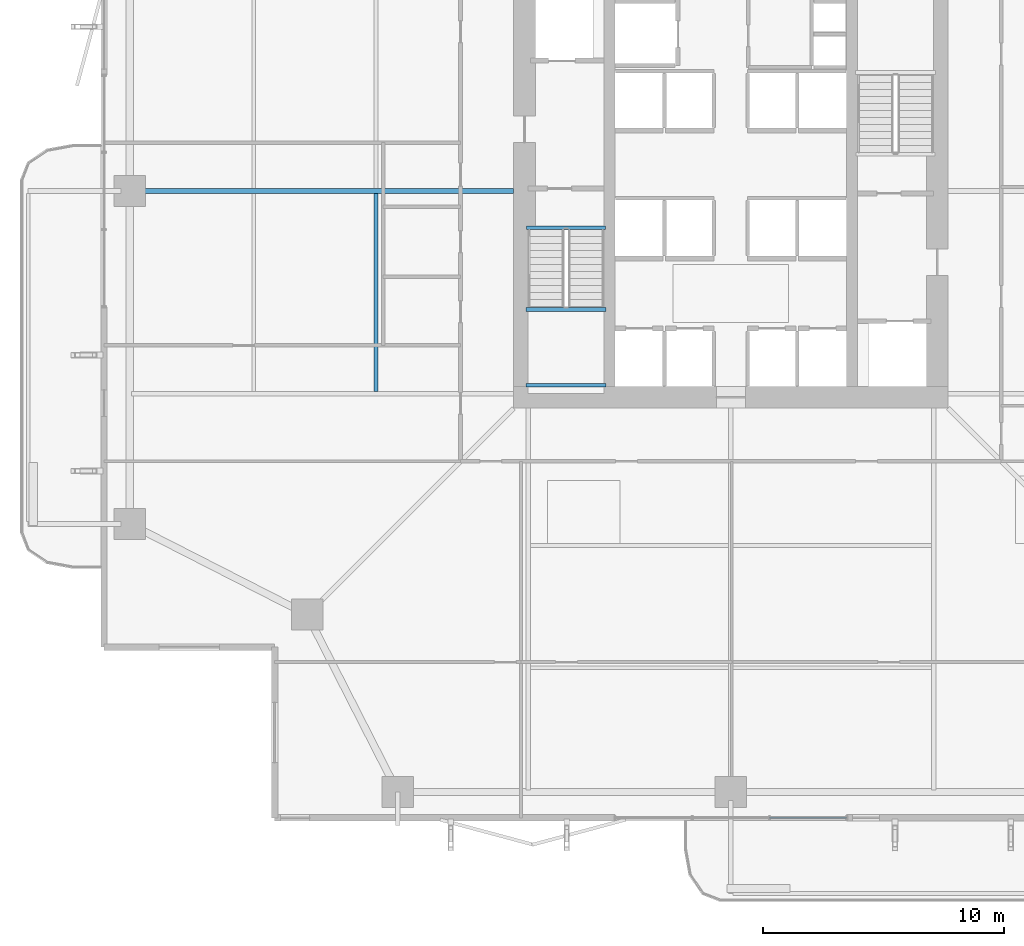
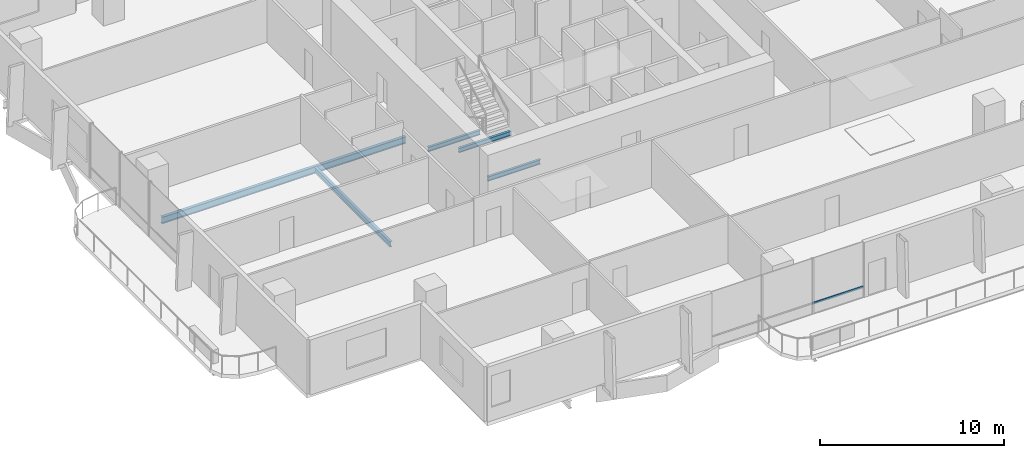
# One storey, part 5 of 24: 5 beams, 1 member, 1 element without a shape of its own.
"""IFC4 building model written with IfcOpenShell, lengths in metres."""

from ifc_helpers import new_model, si_unit, direction, frame, origin, origin_2d, place, context, subcontext, project, spatial, hollow_rectangle, i_section, extrude, material, layer, layer_set, material_profile, profile_set, type_object, element, aggregate, save


model = new_model("IFC4")

# Units and contexts
model_context = context("Model", 3, precision=1e-05, world=origin(), true_north=direction((0.0, 1.0)))
body_context = subcontext(model_context, "Body", "Model", "MODEL_VIEW")
ifc_project = project(units=[si_unit("LENGTHUNIT", "METRE"), si_unit("AREAUNIT", "SQUARE_METRE"), si_unit("VOLUMEUNIT", "CUBIC_METRE"), si_unit("PLANEANGLEUNIT", "RADIAN"), si_unit("MASSUNIT", "GRAM", prefix="KILO")], contexts=[model_context])

# Site, building, storey
site_placement = place(None, origin())
site = spatial("IfcSite", under=ifc_project, at=site_placement, CompositionType="ELEMENT")
building_placement = place(site_placement, origin())
building = spatial("IfcBuilding", under=site, at=building_placement, Name="Belovzor Exchange Tower", CompositionType="ELEMENT")
storey_placement = place(building_placement, frame((0.0, 0.0, 121.199951171875)))
storey = spatial("IfcBuildingStorey", under=building, at=storey_placement, Name="L29", CompositionType="ELEMENT", Elevation=121.199951171875)

# Beams
ifc_material_1 = material(Name="Steel S355", Category="steel")
ifc_material_profile_1 = material_profile(ifc_material_1, i_section(OverallWidth=0.169921875, OverallDepth=0.360107421875, WebThickness=0.008056640625, FlangeThickness=0.0126953125, at=origin_2d()))
ifc_profile_set_1 = profile_set([ifc_material_profile_1], Name="Steel S355")
beam_type_1 = type_object("IfcBeamType", Name="Secondary Infill Floor Joist IPE 360", PredefinedType="BEAM", material=ifc_profile_set_1)
beam_1_placement = place(storey_placement, frame((14.10302734375, 20.4951171875, -0.429931640625), z_axis=(0.0, 1.0, 0.0), x_axis=(-1.0, 0.0, 0.0)))
element("IfcBeam", 1, at=beam_1_placement, inside=storey, type_object=beam_type_1, Name="FJ-360 Secondary Infill Floor Joist IPE 360", PredefinedType="BEAM", context=body_context, shape_type="SweptSolid", body=[
    extrude(i_section(OverallWidth=0.169921875, OverallDepth=0.360107421875, WebThickness=0.008056640625, FlangeThickness=0.0126953125, at=origin_2d()), origin(), (0.0, 0.0, 1.0), 8.2099609375),
])
ifc_material_2 = material(Name="Steel S355", Category="steel")
ifc_material_profile_2 = material_profile(ifc_material_2, i_section(OverallWidth=0.14990234375, OverallDepth=0.300048828125, WebThickness=0.007080078125, FlangeThickness=0.0107421875, at=origin_2d()))
ifc_profile_set_2 = profile_set([ifc_material_profile_2], Name="Steel S355")
beam_type_2 = type_object("IfcBeamType", Name="Secondary Trim Floor Joist IPE 300", PredefinedType="BEAM", material=ifc_profile_set_2)
for number, where, z_axis, x_axis, name in (
    (2, (20.320068359375, 23.889892578125, 1.60009765625), (1.0, 0.0, 0.0), (0.0, 1.0, 0.0), "FJ-300 Secondary Trim Floor Joist IPE 300"),
    (3, (20.320068359375, 20.75, 1.60009765625), (1.0, 0.0, 0.0), (0.0, 1.0, 0.0), "FJ-300 Secondary Trim Floor Joist IPE 300"),
):
    element("IfcBeam", number, at=place(storey_placement, frame(where, z_axis=z_axis, x_axis=x_axis)), inside=storey, type_object=beam_type_2, Name=name, PredefinedType="BEAM", context=body_context, shape_type="SweptSolid", body=[
        extrude(i_section(OverallWidth=0.14990234375, OverallDepth=0.300048828125, WebThickness=0.007080078125, FlangeThickness=0.0107421875, at=origin_2d()), origin(), (0.0, 0.0, 1.0), 3.309814453125),
    ])
beam_2_placement = place(storey_placement, frame((20.340087890625, 27.280029296875, -0.39990234375), z_axis=(1.0, 0.0, 0.0), x_axis=(0.0, 1.0, 0.0)))
element("IfcBeam", 4, at=beam_2_placement, inside=storey, type_object=beam_type_2, Name="FJ-300 Secondary Trim Floor Joist IPE 300", PredefinedType="BEAM", context=body_context, shape_type="SweptSolid", body=[
    extrude(i_section(OverallWidth=0.14990234375, OverallDepth=0.300048828125, WebThickness=0.007080078125, FlangeThickness=0.0107421875, at=origin_2d()), origin(), (0.0, 0.0, 1.0), 3.27001953125),
])

# Curtain wall, member
ifc_material_3 = material(Name="Anodised Aluminium Framing", Category="aluminium")
ifc_layer = layer(ifc_material_3, 0.179931640625)
ifc_layer_set = layer_set([ifc_layer], Name="Anodised Aluminium Framing")
curtain_wall_type = type_object("IfcCurtainWallType", Name="Recessed Loggia Low-Iron Triple-Glazed Curtain Wall", PredefinedType="NOTDEFINED", material=ifc_layer_set)
curtain_wall_placement = place(storey_placement, origin())
curtain_wall = element("IfcCurtainWall", 5, at=curtain_wall_placement, inside=storey, type_object=curtain_wall_type, Name="CW3 Recessed Loggia Low-Iron Triple-Glazed Curtain Wall L29", PredefinedType="NOTDEFINED")
ifc_material_4 = material(Name="Steel S355", Category="steel")
ifc_material_profile_3 = material_profile(ifc_material_4, hollow_rectangle(XDim=0.06005859375, YDim=0.14990234375, WallThickness=0.00390625, at=origin_2d()))
ifc_profile_set_3 = profile_set([ifc_material_profile_3], Name="Steel S355")
member_type = type_object("IfcMemberType", Name="Thermally Broken Curtain Wall Transom 150x60", PredefinedType="USERDEFINED", material=ifc_profile_set_3)
member_placement = place(storey_placement, frame((33.592041015625, 2.830078125, 0.650146484375), z_axis=(-1.0, 0.0, 0.0), x_axis=(0.0, -1.0, 0.0)))
member = element("IfcMember", 6, at=member_placement, type_object=member_type, Name="CW-T150 Curtain Wall Transom 1", ObjectType="TRANSOM", PredefinedType="USERDEFINED", context=body_context, shape_type="SweptSolid", body=[
    extrude(hollow_rectangle(XDim=0.06005859375, YDim=0.14990234375, WallThickness=0.00390625, at=origin_2d()), origin(), (0.0, 0.0, 1.0), 3.18408203125),
])
aggregate(curtain_wall, [member])

# Beam
ifc_material_5 = material(Name="Steel S355", Category="steel")
ifc_material_profile_4 = material_profile(ifc_material_5, i_section(OverallWidth=0.18994140625, OverallDepth=0.449951171875, WebThickness=0.009521484375, FlangeThickness=0.0146484375, at=origin_2d()))
ifc_profile_set_4 = profile_set([ifc_material_profile_4], Name="Steel S355")
beam_type_3 = type_object("IfcBeamType", Name="Zone 2-4 Radial Composite Floor Beam IPE 450", PredefinedType="BEAM", material=ifc_profile_set_4)
beam_3_placement = place(storey_placement, frame((19.800048828125, 28.800048828125, -0.474853515625), z_axis=(-1.0, 0.0, 0.0), x_axis=(0.0, -1.0, 0.0)))
element("IfcBeam", 7, at=beam_3_placement, inside=storey, type_object=beam_type_3, Name="FB-450 Zone 2-4 Radial Composite Floor Beam IPE 450", PredefinedType="BEAM", context=body_context, shape_type="SweptSolid", body=[
    extrude(i_section(OverallWidth=0.18994140625, OverallDepth=0.449951171875, WebThickness=0.009521484375, FlangeThickness=0.0146484375, at=origin_2d()), origin(), (0.0, 0.0, 1.0), 15.328125),
])

save(model, "model.ifc")
